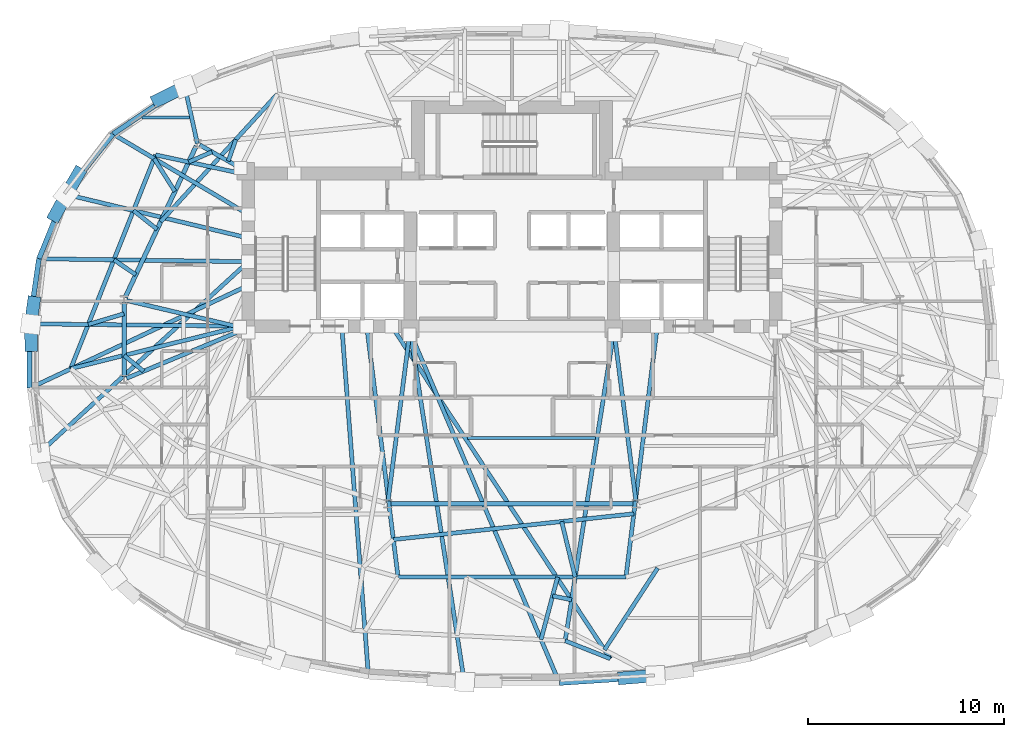
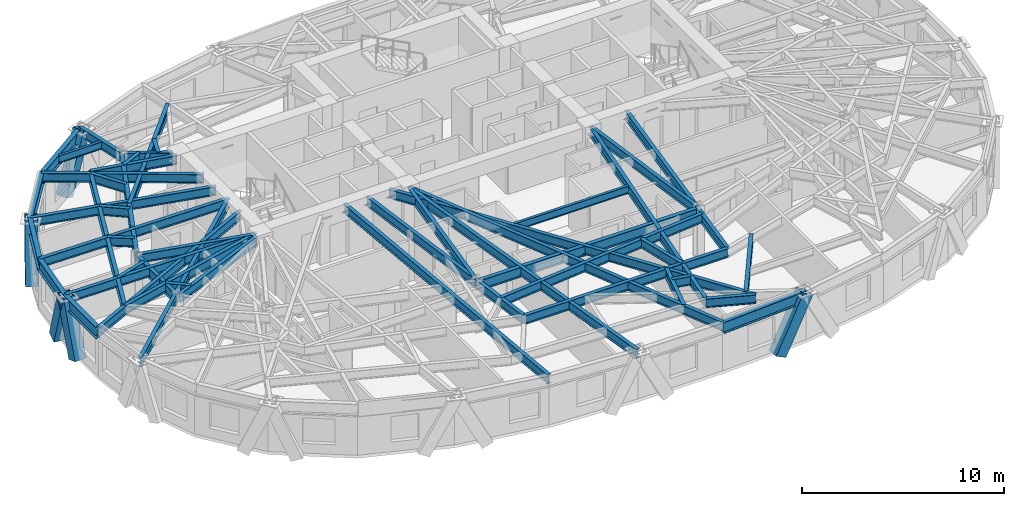
# One storey, part 2 of 15: 48 beams, 6 members.
"""IFC4 building model written with IfcOpenShell, lengths in metres."""

from ifc_helpers import new_model, si_unit, direction, frame, origin, origin_2d, place, context, subcontext, project, spatial, hollow_rectangle, i_section, extrude, material, material_profile, profile_set, type_object, element, save


model = new_model("IFC4")

# Units and contexts
model_context = context("Model", 3, precision=1e-05, world=origin(), true_north=direction((0.0, 1.0)))
body_context = subcontext(model_context, "Body", "Model", "MODEL_VIEW")
ifc_project = project(units=[si_unit("LENGTHUNIT", "METRE"), si_unit("AREAUNIT", "SQUARE_METRE"), si_unit("VOLUMEUNIT", "CUBIC_METRE"), si_unit("PLANEANGLEUNIT", "RADIAN"), si_unit("MASSUNIT", "GRAM", prefix="KILO")], contexts=[model_context])

# Site, building, storey
site_placement = place(None, origin())
site = spatial("IfcSite", under=ifc_project, at=site_placement, CompositionType="ELEMENT")
building_placement = place(site_placement, origin())
building = spatial("IfcBuilding", under=site, at=building_placement, Name="Keldmark Tower", CompositionType="ELEMENT")
storey_placement = place(building_placement, frame((0.0, 0.0, 143.800048828125)))
storey = spatial("IfcBuildingStorey", under=building, at=storey_placement, Name="L38", CompositionType="ELEMENT", Elevation=143.800048828125)

# Beams
ifc_material_1 = material(Name="Steel ASTM A992 Grade 50", Category="steel")
ifc_material_profile_1 = material_profile(ifc_material_1, i_section(OverallWidth=0.153076171875, OverallDepth=0.455078125, WebThickness=0.008056640625, FlangeThickness=0.01318359375, at=origin_2d()), Name="W18X40")
ifc_profile_set_1 = profile_set([ifc_material_profile_1], Name="Steel ASTM A992 Grade 50")
beam_type_1 = type_object("IfcBeamType", Name="Composite Floor Joist W18X40", PredefinedType="JOIST", material=ifc_profile_set_1)
beam_1_placement = place(storey_placement, frame((-2.28271484375, -4.179931640625, 2.79248046875), z_axis=(1.0, 0.0, 0.0), x_axis=(0.0, 1.0, 0.0)))
element("IfcBeam", 1, at=beam_1_placement, inside=storey, type_object=beam_type_1, Name="L38 Composite Floor Joist J04", PredefinedType="JOIST", context=body_context, shape_type="SweptSolid", body=[
    extrude(i_section(OverallWidth=0.153076171875, OverallDepth=0.455078125, WebThickness=0.008056640625, FlangeThickness=0.01318359375, at=origin_2d()), origin(), (0.0, 0.0, 1.0), 6.53759765625),
])
beam_2_placement = place(storey_placement, frame((-18.912353515625, 12.199951171875, 2.79248046875), z_axis=(1.0, 0.0, 0.0), x_axis=(0.0, 1.0, 0.0)))
element("IfcBeam", 2, at=beam_2_placement, inside=storey, type_object=beam_type_1, Name="L38 Composite Floor Joist J06", PredefinedType="JOIST", context=body_context, shape_type="SweptSolid", body=[
    extrude(i_section(OverallWidth=0.153076171875, OverallDepth=0.455078125, WebThickness=0.008056640625, FlangeThickness=0.01318359375, at=origin_2d()), origin(), (0.0, 0.0, 1.0), 2.436767578125),
])

# Members
ifc_material_2 = material(Name="Steel ASTM A572 Grade 50", Category="steel")
ifc_material_profile_2 = material_profile(ifc_material_2, hollow_rectangle(XDim=0.64990234375, YDim=0.64990234375, WallThickness=0.0400390625, at=origin_2d()), Name="BOX650X650X40")
ifc_profile_set_2 = profile_set([ifc_material_profile_2], Name="Steel ASTM A572 Grade 50")
member_type = type_object("IfcMemberType", Name="Diagrid Zone 3 Brace BOX650X650X40", PredefinedType="BRACE", material=ifc_profile_set_2)
member_1_placement = place(storey_placement, frame((-18.099365234375, 13.082275390625, -0.260009765625), z_axis=(0.397714829394, 0.196710973243, 0.896173927028), x_axis=(-0.443339357782, 0.896353844105, 0.0)))
element("IfcMember", 3, at=member_1_placement, inside=storey, type_object=member_type, Name="L38 Perimeter Diagrid Brace 06B", PredefinedType="BRACE", context=body_context, shape_type="SweptSolid", body=[
    extrude(hollow_rectangle(XDim=0.64990234375, YDim=0.64990234375, WallThickness=0.0400390625, at=origin_2d()), origin(), (0.0, 0.0, 1.0), 3.526123046875),
])
member_2_placement = place(storey_placement, frame((-22.148193359375, 9.3349609375, -0.260009765625), z_axis=(-0.187278830371, -0.323097193767, 0.927650172788), x_axis=(0.865167757544, -0.501482553341, 0.0)))
element("IfcMember", 4, at=member_2_placement, inside=storey, type_object=member_type, Name="L38 Perimeter Diagrid Brace 07A", PredefinedType="BRACE", context=body_context, shape_type="SweptSolid", body=[
    extrude(hollow_rectangle(XDim=0.64990234375, YDim=0.64990234375, WallThickness=0.0400390625, at=origin_2d()), origin(), (0.0, 0.0, 1.0), 3.40625),
])
member_3_placement = place(storey_placement, frame((-23.3544921875, 7.186279296875, -0.260009765625), z_axis=(0.170027386874, 0.312835952154, 0.934464742381), x_axis=(-0.878615262191, 0.477530335209, 0.0)))
element("IfcMember", 5, at=member_3_placement, inside=storey, type_object=member_type, Name="L38 Perimeter Diagrid Brace 07B", PredefinedType="BRACE", context=body_context, shape_type="SweptSolid", body=[
    extrude(hollow_rectangle(XDim=0.64990234375, YDim=0.64990234375, WallThickness=0.0400390625, at=origin_2d()), origin(), (0.0, 0.0, 1.0), 3.381591796875),
])
member_4_placement = place(storey_placement, frame((-24.443359375, 2.740234375, -0.260009765625), z_axis=(-0.045649428466, -0.331559006753, 0.942329430041), x_axis=(0.990654605441, -0.136394474662, 0.0)))
element("IfcMember", 6, at=member_4_placement, inside=storey, type_object=member_type, Name="L38 Perimeter Diagrid Brace 08A", PredefinedType="BRACE", context=body_context, shape_type="SweptSolid", body=[
    extrude(hollow_rectangle(XDim=0.64990234375, YDim=0.64990234375, WallThickness=0.0400390625, at=origin_2d()), origin(), (0.0, 0.0, 1.0), 3.353271484375),
])
member_5_placement = place(storey_placement, frame((-24.57177734375, 0.542236328125, -0.260009765625), z_axis=(-0.006714367493, 0.328128220098, 0.944609331123), x_axis=(-0.99979070604, -0.020458350746, 0.0)))
element("IfcMember", 7, at=member_5_placement, inside=storey, type_object=member_type, Name="L38 Perimeter Diagrid Brace 08B", PredefinedType="BRACE", context=body_context, shape_type="SweptSolid", body=[
    extrude(hollow_rectangle(XDim=0.64990234375, YDim=0.64990234375, WallThickness=0.0400390625, at=origin_2d()), origin(), (0.0, 0.0, 1.0), 3.34521484375),
])
member_6_placement = place(storey_placement, frame((5.70458984375, -16.458984375, -0.260009765625), z_axis=(0.456578251005, 0.037018001999, 0.888912801256), x_axis=(-0.08081184309, 0.996729374513, 0.0)))
element("IfcMember", 8, at=member_6_placement, inside=storey, type_object=member_type, Name="L38 Perimeter Diagrid Brace 13A", PredefinedType="BRACE", context=body_context, shape_type="SweptSolid", body=[
    extrude(hollow_rectangle(XDim=0.64990234375, YDim=0.64990234375, WallThickness=0.0400390625, at=origin_2d()), origin(), (0.0, 0.0, 1.0), 3.5546875),
])

# Beams
ifc_material_3 = material(Name="Steel ASTM A992 Grade 50", Category="steel")
ifc_material_profile_3 = material_profile(ifc_material_3, i_section(OverallWidth=0.22900390625, OverallDepth=0.612060546875, WebThickness=0.011962890625, FlangeThickness=0.01953125, at=origin_2d()), Name="W24X84")
ifc_profile_set_3 = profile_set([ifc_material_profile_3], Name="Steel ASTM A992 Grade 50")
beam_type_2 = type_object("IfcBeamType", Name="Primary Floor Girder W24X84", PredefinedType="BEAM", material=ifc_profile_set_3)
beam_3_placement = place(storey_placement, frame((-16.140869140625, 10.734130859375, 2.7138671875), z_axis=(-0.424526823774, -0.905415360979, 0.0), x_axis=(0.905415360979, -0.424526823774, 0.0)))
element("IfcBeam", 9, at=beam_3_placement, inside=storey, type_object=beam_type_2, Name="L38 Floor Ring Girder FG-R05", PredefinedType="BEAM", context=body_context, shape_type="SweptSolid", body=[
    extrude(i_section(OverallWidth=0.22900390625, OverallDepth=0.612060546875, WebThickness=0.011962890625, FlangeThickness=0.01953125, at=origin_2d()), origin(), (0.0, 0.0, 1.0), 8.54638671875),
])
beam_4_placement = place(storey_placement, frame((-19.828369140625, 2.729248046875, 2.7138671875), z_axis=(0.0, -1.0, 0.0), x_axis=(1.0, 0.0, 0.0)))
element("IfcBeam", 10, at=beam_4_placement, inside=storey, type_object=beam_type_2, Name="L38 Floor Ring Girder FG-R06", PredefinedType="BEAM", context=body_context, shape_type="SweptSolid", body=[
    extrude(i_section(OverallWidth=0.22900390625, OverallDepth=0.612060546875, WebThickness=0.011962890625, FlangeThickness=0.01953125, at=origin_2d()), origin(), (0.0, 0.0, 1.0), 3.778564453125),
])
beam_5_placement = place(storey_placement, frame((-6.211181640625, -7.546142578125, 2.7138671875), z_axis=(1.0, 0.0, 0.0), x_axis=(0.0, 1.0, 0.0)))
element("IfcBeam", 11, at=beam_5_placement, inside=storey, type_object=beam_type_2, Name="L38 Floor Ring Girder FG-R09", PredefinedType="BEAM", context=body_context, shape_type="SweptSolid", body=[
    extrude(i_section(OverallWidth=0.22900390625, OverallDepth=0.612060546875, WebThickness=0.011962890625, FlangeThickness=0.01953125, at=origin_2d()), origin(), (0.0, 0.0, 1.0), 12.42236328125),
])
ifc_material_4 = material(Name="Steel ASTM A992 Grade 50", Category="steel")
ifc_material_profile_4 = material_profile(ifc_material_4, i_section(OverallWidth=0.2099609375, OverallDepth=0.537109375, WebThickness=0.010986328125, FlangeThickness=0.017333984375, at=origin_2d()), Name="W21X68")
ifc_profile_set_4 = profile_set([ifc_material_profile_4], Name="Steel ASTM A992 Grade 50")
beam_type_3 = type_object("IfcBeamType", Name="Radial Tie Girder W21X68", PredefinedType="BEAM", material=ifc_profile_set_4)
beam_6_placement = place(storey_placement, frame((-15.959716796875, 10.791748046875, 2.75146484375), z_axis=(0.86929527307, -0.494293160197, 0.0), x_axis=(0.494293160197, 0.86929527307, 0.0)))
element("IfcBeam", 12, at=beam_6_placement, inside=storey, type_object=beam_type_3, Name="L38 Floor Radial Girder FG-C05", PredefinedType="BEAM", context=body_context, shape_type="SweptSolid", body=[
    extrude(i_section(OverallWidth=0.2099609375, OverallDepth=0.537109375, WebThickness=0.010986328125, FlangeThickness=0.017333984375, at=origin_2d()), origin(), (0.0, 0.0, 1.0), 2.39453125),
])
beam_7_placement = place(storey_placement, frame((-19.692138671875, 2.837158203125, 2.75146484375), z_axis=(0.973280062348, -0.229621253887, 0.0), x_axis=(0.229621253887, 0.973280062348, 0.0)))
element("IfcBeam", 13, at=beam_7_placement, inside=storey, type_object=beam_type_3, Name="L38 Floor Radial Girder FG-C06", PredefinedType="BEAM", context=body_context, shape_type="SweptSolid", body=[
    extrude(i_section(OverallWidth=0.2099609375, OverallDepth=0.537109375, WebThickness=0.010986328125, FlangeThickness=0.017333984375, at=origin_2d()), origin(), (0.0, 0.0, 1.0), 5.939208984375),
])
beam_8_placement = place(storey_placement, frame((-19.69921875, -1.135498046875, 2.75146484375), z_axis=(0.923393794893, 0.383854008124, 0.0), x_axis=(-0.383854008124, 0.923393794893, 0.0)))
element("IfcBeam", 14, at=beam_8_placement, inside=storey, type_object=beam_type_3, Name="L38 Floor Radial Girder FG-C07", PredefinedType="BEAM", context=body_context, shape_type="SweptSolid", body=[
    extrude(i_section(OverallWidth=0.2099609375, OverallDepth=0.537109375, WebThickness=0.010986328125, FlangeThickness=0.017333984375, at=origin_2d()), origin(), (0.0, 0.0, 1.0), 6.28515625),
])
for number, where, z_axis, x_axis, name in (
    (15, (-6.333251953125, -7.4072265625, 2.75146484375), (0.127635577416, 0.991821132754, 0.0), (-0.991821132754, 0.127635577416, 0.0), "L38 Floor Radial Girder FG-C09"),
    (16, (6.333251953125, -7.4072265625, 2.75146484375), (-0.127635577416, 0.991821132754, 0.0), (-0.991821132754, -0.127635577416, 0.0), "L38 Floor Radial Girder FG-C10"),
):
    element("IfcBeam", number, at=place(storey_placement, frame(where, z_axis=z_axis, x_axis=x_axis)), inside=storey, type_object=beam_type_3, Name=name, PredefinedType="BEAM", context=body_context, shape_type="SweptSolid", body=[
        extrude(i_section(OverallWidth=0.2099609375, OverallDepth=0.537109375, WebThickness=0.010986328125, FlangeThickness=0.017333984375, at=origin_2d()), origin(), (0.0, 0.0, 1.0), 8.559814453125),
    ])
beam_9_placement = place(storey_placement, frame((-15.335205078125, 10.436767578125, 2.75146484375), z_axis=(-0.915738480841, -0.401774855743, 0.0), x_axis=(0.401774855743, -0.915738480841, 0.0)))
element("IfcBeam", 17, at=beam_9_placement, inside=storey, type_object=beam_type_3, Name="L38 Framing Pin Header PH-002", PredefinedType="BEAM", context=body_context, shape_type="SweptSolid", body=[
    extrude(i_section(OverallWidth=0.2099609375, OverallDepth=0.537109375, WebThickness=0.010986328125, FlangeThickness=0.017333984375, at=origin_2d()), origin(), (0.0, 0.0, 1.0), 1.299072265625),
])
beam_10_placement = place(storey_placement, frame((-13.800048828125, 9.324951171875, 2.75146484375), z_axis=(-0.977362257271, 0.211572725233, 0.0), x_axis=(-0.211572725233, -0.977362257271, 0.0)))
element("IfcBeam", 18, at=beam_10_placement, inside=storey, type_object=beam_type_3, Name="L38 Sub-Ring Step Girder STP1-M06", PredefinedType="BEAM", context=body_context, shape_type="SweptSolid", body=[
    extrude(i_section(OverallWidth=0.2099609375, OverallDepth=0.537109375, WebThickness=0.010986328125, FlangeThickness=0.017333984375, at=origin_2d()), origin(), (0.0, 0.0, 1.0), 4.518798828125),
])
beam_11_placement = place(storey_placement, frame((-18.82861328125, -0.773681640625, 2.75146484375), z_axis=(-0.77873068282, 0.627358369383, 0.0), x_axis=(-0.627358369383, -0.77873068282, 0.0)))
element("IfcBeam", 19, at=beam_11_placement, inside=storey, type_object=beam_type_3, Name="L38 Framing Pin Header PH-003", PredefinedType="BEAM", context=body_context, shape_type="SweptSolid", body=[
    extrude(i_section(OverallWidth=0.2099609375, OverallDepth=0.537109375, WebThickness=0.010986328125, FlangeThickness=0.017333984375, at=origin_2d()), origin(), (0.0, 0.0, 1.0), 1.283935546875),
])
beam_12_placement = place(storey_placement, frame((-13.800048828125, 1.52490234375, 2.75146484375), z_axis=(-0.970668882002, -0.240420301792, 0.0), x_axis=(0.240420301792, -0.970668882002, 0.0)))
element("IfcBeam", 20, at=beam_12_placement, inside=storey, type_object=beam_type_3, Name="L38 Sub-Ring Step Girder STP1-M07", PredefinedType="BEAM", context=body_context, shape_type="SweptSolid", body=[
    extrude(i_section(OverallWidth=0.2099609375, OverallDepth=0.537109375, WebThickness=0.010986328125, FlangeThickness=0.017333984375, at=origin_2d()), origin(), (0.0, 0.0, 1.0), 9.018310546875),
])
beam_13_placement = place(storey_placement, frame((-7.425048828125, 1.52490234375, 2.75146484375), z_axis=(0.123946407446, -0.992288913614, 0.0), x_axis=(0.992288913614, 0.123946407446, 0.0)))
element("IfcBeam", 21, at=beam_13_placement, inside=storey, type_object=beam_type_3, Name="L38 Sub-Ring Step Girder STP1-M09", PredefinedType="BEAM", context=body_context, shape_type="SweptSolid", body=[
    extrude(i_section(OverallWidth=0.2099609375, OverallDepth=0.537109375, WebThickness=0.010986328125, FlangeThickness=0.017333984375, at=origin_2d()), origin(), (0.0, 0.0, 1.0), 12.92724609375),
])
beam_14_placement = place(storey_placement, frame((-6.06298828125, -9.378662109375, 2.75146484375), z_axis=(0.994318938382, 0.10644176236, 0.0), x_axis=(-0.10644176236, 0.994318938382, 0.0)))
element("IfcBeam", 22, at=beam_14_placement, inside=storey, type_object=beam_type_3, Name="L38 Framing Pin Header PH-006", PredefinedType="BEAM", context=body_context, shape_type="SweptSolid", body=[
    extrude(i_section(OverallWidth=0.2099609375, OverallDepth=0.537109375, WebThickness=0.010986328125, FlangeThickness=0.017333984375, at=origin_2d()), origin(), (0.0, 0.0, 1.0), 12.360595703125),
])
beam_15_placement = place(storey_placement, frame((7.425048828125, 1.52490234375, 2.75146484375), z_axis=(-0.123946407446, -0.992288913614, 0.0), x_axis=(0.992288913614, -0.123946407446, 0.0)))
element("IfcBeam", 23, at=beam_15_placement, inside=storey, type_object=beam_type_3, Name="L38 Sub-Ring Step Girder STP1-M10", PredefinedType="BEAM", context=body_context, shape_type="SweptSolid", body=[
    extrude(i_section(OverallWidth=0.2099609375, OverallDepth=0.537109375, WebThickness=0.010986328125, FlangeThickness=0.017333984375, at=origin_2d()), origin(), (0.0, 0.0, 1.0), 12.92724609375),
])
beam_16_placement = place(storey_placement, frame((-18.216552734375, 10.281005859375, 2.75146484375), z_axis=(-0.369018699533, -0.929421970579, 0.0), x_axis=(0.929421970579, -0.369018699533, 0.0)))
element("IfcBeam", 24, at=beam_16_placement, inside=storey, type_object=beam_type_3, Name="L38 Perimeter Collector Ring Beam CRG1-M06", PredefinedType="BEAM", context=body_context, shape_type="SweptSolid", body=[
    extrude(i_section(OverallWidth=0.2099609375, OverallDepth=0.537109375, WebThickness=0.010986328125, FlangeThickness=0.017333984375, at=origin_2d()), origin(), (0.0, 0.0, 1.0), 11.75390625),
])
beam_17_placement = place(storey_placement, frame((-5.82275390625, -11.302734375, 2.75146484375), z_axis=(1.0, 0.0, 0.0), x_axis=(0.0, 1.0, 0.0)))
element("IfcBeam", 25, at=beam_17_placement, inside=storey, type_object=beam_type_3, Name="L38 Perimeter Collector Ring Beam CRG1-M09", PredefinedType="BEAM", context=body_context, shape_type="SweptSolid", body=[
    extrude(i_section(OverallWidth=0.2099609375, OverallDepth=0.537109375, WebThickness=0.010986328125, FlangeThickness=0.017333984375, at=origin_2d()), origin(), (0.0, 0.0, 1.0), 11.6455078125),
])
beam_18_placement = place(storey_placement, frame((2.540283203125, -8.45751953125, 2.75146484375), z_axis=(0.235425780723, -0.971892330339, 0.0), x_axis=(0.971892330339, 0.235425780723, 0.0)))
element("IfcBeam", 26, at=beam_18_placement, inside=storey, type_object=beam_type_3, Name="L38 Framing Pin Header PH-012", PredefinedType="BEAM", context=body_context, shape_type="SweptSolid", body=[
    extrude(i_section(OverallWidth=0.2099609375, OverallDepth=0.537109375, WebThickness=0.010986328125, FlangeThickness=0.017333984375, at=origin_2d()), origin(), (0.0, 0.0, 1.0), 2.927490234375),
])
beam_19_placement = place(storey_placement, frame((5.199951171875, 1.199951171875, 2.75146484375), z_axis=(-0.155681122742, -0.987807363822, 0.0), x_axis=(0.987807363822, -0.155681122742, 0.0)))
element("IfcBeam", 27, at=beam_19_placement, inside=storey, type_object=beam_type_3, Name="L38 Sub-Ring Step Girder STP2-M10", PredefinedType="BEAM", context=body_context, shape_type="SweptSolid", body=[
    extrude(i_section(OverallWidth=0.2099609375, OverallDepth=0.537109375, WebThickness=0.010986328125, FlangeThickness=0.017333984375, at=origin_2d()), origin(), (0.0, 0.0, 1.0), 15.947021484375),
])
beam_20_placement = place(storey_placement, frame((-14.502685546875, 9.96337890625, 2.75146484375), z_axis=(0.331254414129, 0.94354147398, 0.0), x_axis=(-0.94354147398, 0.331254414129, 0.0)))
element("IfcBeam", 28, at=beam_20_placement, inside=storey, type_object=beam_type_3, Name="L38 Framing Pin Header PH-020", PredefinedType="BEAM", context=body_context, shape_type="SweptSolid", body=[
    extrude(i_section(OverallWidth=0.2099609375, OverallDepth=0.537109375, WebThickness=0.010986328125, FlangeThickness=0.017333984375, at=origin_2d()), origin(), (0.0, 0.0, 1.0), 1.166748046875),
])
beam_21_placement = place(storey_placement, frame((-17.954833984375, 6.864990234375, 2.75146484375), z_axis=(0.674713768267, 0.738079488207, 0.0), x_axis=(-0.738079488207, 0.674713768267, 0.0)))
element("IfcBeam", 29, at=beam_21_placement, inside=storey, type_object=beam_type_3, Name="L38 Intermediate Radial Step Girder RT-11M", PredefinedType="BEAM", context=body_context, shape_type="SweptSolid", body=[
    extrude(i_section(OverallWidth=0.2099609375, OverallDepth=0.537109375, WebThickness=0.010986328125, FlangeThickness=0.017333984375, at=origin_2d()), origin(), (0.0, 0.0, 1.0), 8.84228515625),
])
beam_22_placement = place(storey_placement, frame((-16.08154296875, 10.861083984375, 2.75146484375), z_axis=(-0.215523685916, 0.976498612804, 0.0), x_axis=(-0.976498612804, -0.215523685916, 0.0)))
element("IfcBeam", 30, at=beam_22_placement, inside=storey, type_object=beam_type_3, Name="L38 Perimeter Column Bracket RT-12", PredefinedType="BEAM", context=body_context, shape_type="SweptSolid", body=[
    extrude(i_section(OverallWidth=0.2099609375, OverallDepth=0.537109375, WebThickness=0.010986328125, FlangeThickness=0.017333984375, at=origin_2d()), origin(), (0.0, 0.0, 1.0), 3.032470703125),
])
beam_23_placement = place(storey_placement, frame((-17.229248046875, 8.41259765625, 2.75146484375), z_axis=(-0.533337194948, 0.845902734648, 0.0), x_axis=(-0.845902734648, -0.533337194948, 0.0)))
element("IfcBeam", 31, at=beam_23_placement, inside=storey, type_object=beam_type_3, Name="L38 Framing Pin Header PH-021", PredefinedType="BEAM", context=body_context, shape_type="SweptSolid", body=[
    extrude(i_section(OverallWidth=0.2099609375, OverallDepth=0.537109375, WebThickness=0.010986328125, FlangeThickness=0.017333984375, at=origin_2d()), origin(), (0.0, 0.0, 1.0), 1.989501953125),
])
beam_24_placement = place(storey_placement, frame((-13.47509765625, 7.235595703125, 2.75146484375), z_axis=(-0.859795202909, 0.510639020301, 0.0), x_axis=(-0.510639020301, -0.859795202909, 0.0)))
element("IfcBeam", 32, at=beam_24_placement, inside=storey, type_object=beam_type_3, Name="L38 Perimeter Radial Tie Girder RT-13", PredefinedType="BEAM", context=body_context, shape_type="SweptSolid", body=[
    extrude(i_section(OverallWidth=0.2099609375, OverallDepth=0.537109375, WebThickness=0.010986328125, FlangeThickness=0.017333984375, at=origin_2d()), origin(), (0.0, 0.0, 1.0), 8.044677734375),
])
beam_25_placement = place(storey_placement, frame((-18.136474609375, 6.478271484375, 2.75146484375), z_axis=(-0.783885370125, 0.620905569716, 0.0), x_axis=(-0.620905569716, -0.783885370125, 0.0)))
element("IfcBeam", 33, at=beam_25_placement, inside=storey, type_object=beam_type_3, Name="L38 Framing Pin Header PH-022", PredefinedType="BEAM", context=body_context, shape_type="SweptSolid", body=[
    extrude(i_section(OverallWidth=0.2099609375, OverallDepth=0.537109375, WebThickness=0.010986328125, FlangeThickness=0.017333984375, at=origin_2d()), origin(), (0.0, 0.0, 1.0), 1.54296875),
])
beam_26_placement = place(storey_placement, frame((-13.47509765625, 6.028564453125, 2.75146484375), z_axis=(-0.972431732123, 0.233187749164, 0.0), x_axis=(-0.233187749164, -0.972431732123, 0.0)))
element("IfcBeam", 34, at=beam_26_placement, inside=storey, type_object=beam_type_3, Name="L38 Perimeter Radial Tie Girder RT-14", PredefinedType="BEAM", context=body_context, shape_type="SweptSolid", body=[
    extrude(i_section(OverallWidth=0.2099609375, OverallDepth=0.537109375, WebThickness=0.010986328125, FlangeThickness=0.017333984375, at=origin_2d()), origin(), (0.0, 0.0, 1.0), 9.622802734375),
])
beam_27_placement = place(storey_placement, frame((-19.224853515625, 4.15673828125, 2.75146484375), z_axis=(-0.827532575655, 0.561417702099, 0.0), x_axis=(-0.561417702099, -0.827532575655, 0.0)))
element("IfcBeam", 35, at=beam_27_placement, inside=storey, type_object=beam_type_3, Name="L38 Framing Pin Header PH-023", PredefinedType="BEAM", context=body_context, shape_type="SweptSolid", body=[
    extrude(i_section(OverallWidth=0.2099609375, OverallDepth=0.537109375, WebThickness=0.010986328125, FlangeThickness=0.017333984375, at=origin_2d()), origin(), (0.0, 0.0, 1.0), 1.35498046875),
])
beam_28_placement = place(storey_placement, frame((-13.47509765625, 4.8212890625, 2.75146484375), z_axis=(-0.999902212283, 0.013984486793, 0.0), x_axis=(-0.013984486793, -0.999902212283, 0.0)))
element("IfcBeam", 36, at=beam_28_placement, inside=storey, type_object=beam_type_3, Name="L38 Perimeter Radial Tie Girder RT-15", PredefinedType="BEAM", context=body_context, shape_type="SweptSolid", body=[
    extrude(i_section(OverallWidth=0.2099609375, OverallDepth=0.537109375, WebThickness=0.010986328125, FlangeThickness=0.017333984375, at=origin_2d()), origin(), (0.0, 0.0, 1.0), 10.70166015625),
])
beam_29_placement = place(storey_placement, frame((-19.828369140625, 2.162353515625, 2.75146484375), z_axis=(-0.957703107544, -0.287758158531, 0.0), x_axis=(0.287758158531, -0.957703107544, 0.0)))
element("IfcBeam", 37, at=beam_29_placement, inside=storey, type_object=beam_type_3, Name="L38 Framing Pin Header PH-024", PredefinedType="BEAM", context=body_context, shape_type="SweptSolid", body=[
    extrude(i_section(OverallWidth=0.2099609375, OverallDepth=0.537109375, WebThickness=0.010986328125, FlangeThickness=0.017333984375, at=origin_2d()), origin(), (0.0, 0.0, 1.0), 1.91064453125),
])
beam_30_placement = place(storey_placement, frame((-13.800048828125, 1.52490234375, 2.75146484375), z_axis=(-0.999937768179, 0.011156153879, 0.0), x_axis=(-0.011156153879, -0.999937768179, 0.0)))
element("IfcBeam", 38, at=beam_30_placement, inside=storey, type_object=beam_type_3, Name="L38 Perimeter Radial Tie Girder RT-16", PredefinedType="BEAM", context=body_context, shape_type="SweptSolid", body=[
    extrude(i_section(OverallWidth=0.2099609375, OverallDepth=0.537109375, WebThickness=0.010986328125, FlangeThickness=0.017333984375, at=origin_2d()), origin(), (0.0, 0.0, 1.0), 10.8544921875),
])
beam_31_placement = place(storey_placement, frame((-13.47509765625, 3.6142578125, 2.75146484375), z_axis=(-0.904828554598, -0.425776099357, 0.0), x_axis=(0.425776099357, -0.904828554598, 0.0)))
element("IfcBeam", 39, at=beam_31_placement, inside=storey, type_object=beam_type_3, Name="L38 Perimeter Radial Tie Girder RT-17", PredefinedType="BEAM", context=body_context, shape_type="SweptSolid", body=[
    extrude(i_section(OverallWidth=0.2099609375, OverallDepth=0.537109375, WebThickness=0.010986328125, FlangeThickness=0.017333984375, at=origin_2d()), origin(), (0.0, 0.0, 1.0), 12.3544921875),
])
beam_32_placement = place(storey_placement, frame((-13.47509765625, 4.8212890625, 2.75146484375), z_axis=(-0.737728180194, -0.67509786857, 0.0), x_axis=(0.67509786857, -0.737728180194, 0.0)))
element("IfcBeam", 40, at=beam_32_placement, inside=storey, type_object=beam_type_3, Name="L38 Perimeter Radial Tie Girder RT-18", PredefinedType="BEAM", context=body_context, shape_type="SweptSolid", body=[
    extrude(i_section(OverallWidth=0.2099609375, OverallDepth=0.537109375, WebThickness=0.010986328125, FlangeThickness=0.017333984375, at=origin_2d()), origin(), (0.0, 0.0, 1.0), 14.5048828125),
])
beam_33_placement = place(storey_placement, frame((-8.699951171875, 1.52490234375, 2.75146484375), z_axis=(0.076066678444, -0.997102733138, 0.0), x_axis=(0.997102733138, 0.076066678444, 0.0)))
element("IfcBeam", 41, at=beam_33_placement, inside=storey, type_object=beam_type_3, Name="L38 Perimeter Radial Tie Girder RT-23", PredefinedType="BEAM", context=body_context, shape_type="SweptSolid", body=[
    extrude(i_section(OverallWidth=0.2099609375, OverallDepth=0.537109375, WebThickness=0.010986328125, FlangeThickness=0.017333984375, at=origin_2d()), origin(), (0.0, 0.0, 1.0), 17.9638671875),
])
beam_34_placement = place(storey_placement, frame((-5.199951171875, 1.199951171875, 2.75146484375), z_axis=(0.152928647654, -0.98823723302, 0.0), x_axis=(0.98823723302, 0.152928647654, 0.0)))
element("IfcBeam", 42, at=beam_34_placement, inside=storey, type_object=beam_type_3, Name="L38 Perimeter Radial Tie Girder RT-24", PredefinedType="BEAM", context=body_context, shape_type="SweptSolid", body=[
    extrude(i_section(OverallWidth=0.2099609375, OverallDepth=0.537109375, WebThickness=0.010986328125, FlangeThickness=0.017333984375, at=origin_2d()), origin(), (0.0, 0.0, 1.0), 18.124267578125),
])
beam_35_placement = place(storey_placement, frame((2.3291015625, -11.302734375, 2.75146484375), z_axis=(-0.256368397118, -0.966579145729, 0.0), x_axis=(0.966579145729, -0.256368397118, 0.0)))
element("IfcBeam", 43, at=beam_35_placement, inside=storey, type_object=beam_type_3, Name="L38 Framing Pin Header PH-031", PredefinedType="BEAM", context=body_context, shape_type="SweptSolid", body=[
    extrude(i_section(OverallWidth=0.2099609375, OverallDepth=0.537109375, WebThickness=0.010986328125, FlangeThickness=0.017333984375, at=origin_2d()), origin(), (0.0, 0.0, 1.0), 3.2998046875),
])
beam_36_placement = place(storey_placement, frame((-5.199951171875, 1.199951171875, 2.75146484375), z_axis=(0.391834151423, -0.920035867659, 0.0), x_axis=(0.920035867659, 0.391834151423, 0.0)))
element("IfcBeam", 44, at=beam_36_placement, inside=storey, type_object=beam_type_3, Name="L38 Perimeter Radial Tie Girder RT-25", PredefinedType="BEAM", context=body_context, shape_type="SweptSolid", body=[
    extrude(i_section(OverallWidth=0.2099609375, OverallDepth=0.537109375, WebThickness=0.010986328125, FlangeThickness=0.017333984375, at=origin_2d()), origin(), (0.0, 0.0, 1.0), 19.4677734375),
])
beam_37_placement = place(storey_placement, frame((2.0751953125, -12.259521484375, 2.75146484375), z_axis=(0.97913568463, -0.203207556659, 0.0), x_axis=(0.203207556659, 0.97913568463, 0.0)))
element("IfcBeam", 45, at=beam_37_placement, inside=storey, type_object=beam_type_3, Name="L38 Framing Pin Header PH-032", PredefinedType="BEAM", context=body_context, shape_type="SweptSolid", body=[
    extrude(i_section(OverallWidth=0.2099609375, OverallDepth=0.537109375, WebThickness=0.010986328125, FlangeThickness=0.017333984375, at=origin_2d()), origin(), (0.0, 0.0, 1.0), 0.992431640625),
])
beam_38_placement = place(storey_placement, frame((-6.14990234375, 1.52490234375, 2.75146484375), z_axis=(0.549426237327, -0.835542224987, 0.0), x_axis=(0.835542224987, 0.549426237327, 0.0)))
element("IfcBeam", 46, at=beam_38_placement, inside=storey, type_object=beam_type_3, Name="L38 Intermediate Radial Step Girder RT-26M", PredefinedType="BEAM", context=body_context, shape_type="SweptSolid", body=[
    extrude(i_section(OverallWidth=0.2099609375, OverallDepth=0.537109375, WebThickness=0.010986328125, FlangeThickness=0.017333984375, at=origin_2d()), origin(), (0.0, 0.0, 1.0), 20.33984375),
])
beam_39_placement = place(storey_placement, frame((2.71728515625, -14.552734375, 2.75146484375), z_axis=(0.92930818796, -0.369305147257, 0.0), x_axis=(0.369305147257, 0.92930818796, 0.0)))
element("IfcBeam", 47, at=beam_39_placement, inside=storey, type_object=beam_type_3, Name="L38 Local Collector Chord RT-26C", PredefinedType="BEAM", context=body_context, shape_type="SweptSolid", body=[
    extrude(i_section(OverallWidth=0.2099609375, OverallDepth=0.537109375, WebThickness=0.010986328125, FlangeThickness=0.017333984375, at=origin_2d()), origin(), (0.0, 0.0, 1.0), 2.483642578125),
])
beam_40_placement = place(storey_placement, frame((7.443603515625, -10.8369140625, 2.75146484375), z_axis=(-0.545191501821, -0.838311532989, 0.0), x_axis=(0.838311532989, -0.545191501821, 0.0)))
element("IfcBeam", 48, at=beam_40_placement, inside=storey, type_object=beam_type_3, Name="L38 Framing Pin Header PH-033", PredefinedType="BEAM", context=body_context, shape_type="SweptSolid", body=[
    extrude(i_section(OverallWidth=0.2099609375, OverallDepth=0.537109375, WebThickness=0.010986328125, FlangeThickness=0.017333984375, at=origin_2d()), origin(), (0.0, 0.0, 1.0), 4.984130859375),
])
ifc_material_5 = material(Name="Steel ASTM A992 Grade 50", Category="steel")
ifc_material_profile_5 = material_profile(ifc_material_5, i_section(OverallWidth=0.256103515625, OverallDepth=0.693115234375, WebThickness=0.014404296875, FlangeThickness=0.023681640625, at=origin_2d()), Name="W27X114")
ifc_profile_set_5 = profile_set([ifc_material_profile_5], Name="Steel ASTM A992 Grade 50")
beam_type_4 = type_object("IfcBeamType", Name="Spandrel Ring Beam W27X114", PredefinedType="SPANDREL", material=ifc_profile_set_5)
beam_41_placement = place(storey_placement, frame((-16.735107421875, 13.822265625, 2.67333984375), z_axis=(-0.827748957235, -0.561098622166, 0.0), x_axis=(0.561098622166, -0.827748957235, 0.0)))
element("IfcBeam", 49, at=beam_41_placement, inside=storey, type_object=beam_type_4, Name="L38 Perimeter Spandrel Ring Beam SRB-12", PredefinedType="SPANDREL", context=body_context, shape_type="SweptSolid", body=[
    extrude(i_section(OverallWidth=0.256103515625, OverallDepth=0.693115234375, WebThickness=0.014404296875, FlangeThickness=0.023681640625, at=origin_2d()), origin(), (0.0, 0.0, 1.0), 4.417724609375),
])
beam_42_placement = place(storey_placement, frame((-20.391845703125, 11.343505859375, 2.67333984375), z_axis=(-0.622179579914, -0.78287455594, 0.0), x_axis=(0.78287455594, -0.622179579914, 0.0)))
element("IfcBeam", 50, at=beam_42_placement, inside=storey, type_object=beam_type_4, Name="L38 Perimeter Spandrel Ring Beam SRB-13", PredefinedType="SPANDREL", context=body_context, shape_type="SweptSolid", body=[
    extrude(i_section(OverallWidth=0.256103515625, OverallDepth=0.693115234375, WebThickness=0.014404296875, FlangeThickness=0.023681640625, at=origin_2d()), origin(), (0.0, 0.0, 1.0), 3.9228515625),
])
beam_43_placement = place(storey_placement, frame((-22.83251953125, 8.2724609375, 2.67333984375), z_axis=(-0.376863872061, -0.926268655378, 0.0), x_axis=(0.926268655378, -0.376863872061, 0.0)))
element("IfcBeam", 51, at=beam_43_placement, inside=storey, type_object=beam_type_4, Name="L38 Perimeter Spandrel Ring Beam SRB-14", PredefinedType="SPANDREL", context=body_context, shape_type="SweptSolid", body=[
    extrude(i_section(OverallWidth=0.256103515625, OverallDepth=0.693115234375, WebThickness=0.014404296875, FlangeThickness=0.023681640625, at=origin_2d()), origin(), (0.0, 0.0, 1.0), 3.564208984375),
])
beam_44_placement = place(storey_placement, frame((-24.17578125, 4.970947265625, 2.67333984375), z_axis=(-0.142306536474, -0.989822635464, 0.0), x_axis=(0.989822635464, -0.142306536474, 0.0)))
element("IfcBeam", 52, at=beam_44_placement, inside=storey, type_object=beam_type_4, Name="L38 Perimeter Spandrel Ring Beam SRB-15", PredefinedType="SPANDREL", context=body_context, shape_type="SweptSolid", body=[
    extrude(i_section(OverallWidth=0.256103515625, OverallDepth=0.693115234375, WebThickness=0.014404296875, FlangeThickness=0.023681640625, at=origin_2d()), origin(), (0.0, 0.0, 1.0), 3.359130859375),
])
beam_45_placement = place(storey_placement, frame((-24.65380859375, 1.64599609375, 2.67333984375), z_axis=(0.0, -1.0, 0.0), x_axis=(1.0, 0.0, 0.0)))
element("IfcBeam", 53, at=beam_45_placement, inside=storey, type_object=beam_type_4, Name="L38 Perimeter Spandrel Ring Beam SRB-16", PredefinedType="SPANDREL", context=body_context, shape_type="SweptSolid", body=[
    extrude(i_section(OverallWidth=0.256103515625, OverallDepth=0.693115234375, WebThickness=0.014404296875, FlangeThickness=0.023681640625, at=origin_2d()), origin(), (0.0, 0.0, 1.0), 3.2919921875),
])
beam_46_placement = place(storey_placement, frame((2.42822265625, -16.711181640625, 2.67333984375), z_axis=(0.997822793171, 0.065952054018, 0.0), x_axis=(-0.065952054018, 0.997822793171, 0.0)))
element("IfcBeam", 54, at=beam_46_placement, inside=storey, type_object=beam_type_4, Name="L38 Perimeter Spandrel Ring Beam SRB-25", PredefinedType="SPANDREL", context=body_context, shape_type="SweptSolid", body=[
    extrude(i_section(OverallWidth=0.256103515625, OverallDepth=0.693115234375, WebThickness=0.014404296875, FlangeThickness=0.023681640625, at=origin_2d()), origin(), (0.0, 0.0, 1.0), 4.916015625),
])

save(model, "model.ifc")
